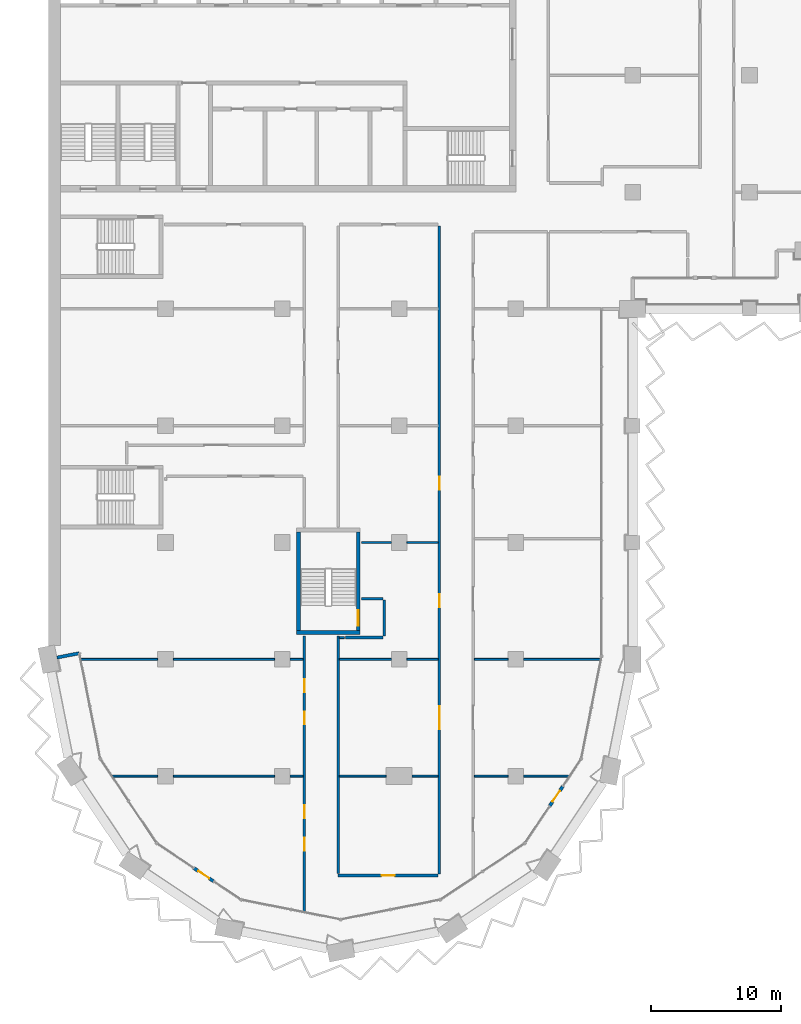
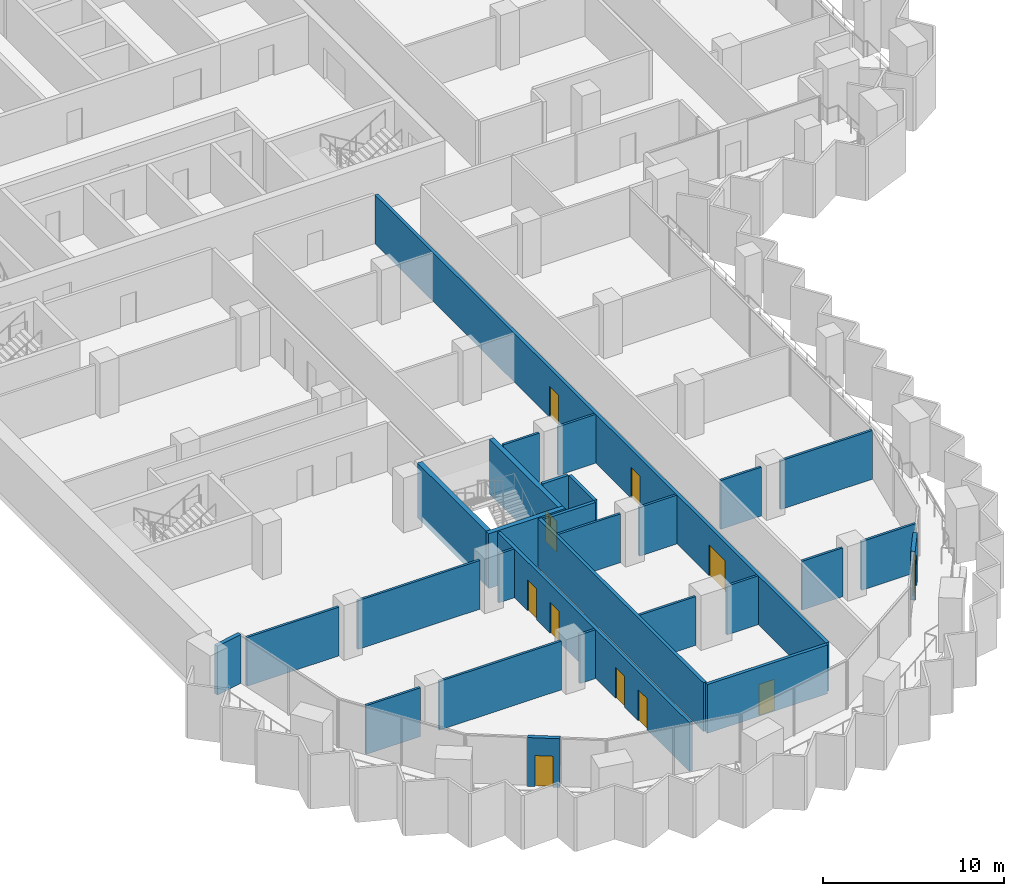
# One storey, part 9 of 23: 30 walls, 11 doors, 11 openings.
"""IFC4 building model written with IfcOpenShell, lengths in metres."""

from ifc_helpers import new_model, si_unit, direction, frame, frame_2d, origin, place, context, subcontext, project, spatial, rectangle, extrude, material, layer, layer_set, type_object, element, fill, save


model = new_model("IFC4")

# Units and contexts
model_context = context("Model", 3, precision=1e-05, world=origin(), true_north=direction((0.0, 1.0)))
body_context = subcontext(model_context, "Body", "Model", "MODEL_VIEW")
ifc_project = project(units=[si_unit("LENGTHUNIT", "METRE"), si_unit("AREAUNIT", "SQUARE_METRE"), si_unit("VOLUMEUNIT", "CUBIC_METRE"), si_unit("PLANEANGLEUNIT", "RADIAN"), si_unit("MASSUNIT", "GRAM", prefix="KILO")], contexts=[model_context])

# Site, building, storey
site_placement = place(None, origin())
site = spatial("IfcSite", under=ifc_project, at=site_placement, CompositionType="ELEMENT")
building_placement = place(site_placement, origin())
building = spatial("IfcBuilding", under=site, at=building_placement, Name="Hunhe Ridgeline Campus", CompositionType="ELEMENT")
storey_placement = place(building_placement, frame((0.0, 0.0, 144.89990234375)))
storey = spatial("IfcBuildingStorey", under=building, at=storey_placement, Name="L36", CompositionType="ELEMENT", Elevation=144.89990234375)

# Wall
ifc_material_1 = material(Name="Concrete C30", Category="concrete")
ifc_layer_1 = layer(ifc_material_1, 0.25)
ifc_layer_set_1 = layer_set([ifc_layer_1], Name="Corner return wall 250 Concrete C30")
wall_type_1 = type_object("IfcWallType", Name="Corner return wall 250 Concrete C30", PredefinedType="SOLIDWALL", material=ifc_layer_set_1)
wall_1_placement = place(storey_placement, frame((0.637451171875, 27.127685546875, 0.0), z_axis=(0.0, 0.0, 1.0), x_axis=(0.980842591884, 0.194801976239, 0.0)))
element("IfcWall", 1, at=wall_1_placement, inside=storey, type_object=wall_type_1, Name="Corner return wall 1", PredefinedType="SOLIDWALL", context=body_context, shape_type="SweptSolid", body=[
    extrude(rectangle(XDim=1.750732421875, YDim=0.25, at=frame_2d((0.87548828125, 0.0))), origin(), (0.0, 0.0, 1.0), 3.300048828125),
])

# Wall, opening, door
ifc_material_2 = material(Name="Gypsum board partition")
ifc_layer_2 = layer(ifc_material_2, 0.199951171875)
ifc_layer_set_2 = layer_set([ifc_layer_2], Name="Corridor partition 200 gypsum board on steel studs")
wall_type_2 = type_object("IfcWallType", Name="Corridor partition 200 gypsum board on steel studs", PredefinedType="PARTITIONING", material=ifc_layer_set_2)
wall_2_placement = place(storey_placement, frame((22.300048828125, 10.339111328125, 0.0), z_axis=(0.0, 0.0, 1.0), x_axis=(1.0, 0.0, 0.0)))
wall_2 = element("IfcWall", 2, at=wall_2_placement, inside=storey, type_object=wall_type_2, Name="F-L36-wall-001", PredefinedType="PARTITIONING", context=body_context, shape_type="SweptSolid", body=[
    extrude(rectangle(XDim=7.699951171875, YDim=0.199951171875, at=frame_2d((3.85009765625, 0.0))), origin(), (0.0, 0.0, 1.0), 3.300048828125),
])
opening_1_placement = place(wall_2_placement, frame((3.35009765625, 0.0, 0.0)))
opening_1 = element("IfcOpeningElement", 3, at=opening_1_placement, cuts=wall_2, Name="Opening RD1-001", PredefinedType="OPENING", context=body_context, shape_type="SweptSolid", body=[
    extrude(rectangle(XDim=1.0, YDim=2.10009765625, at=frame_2d((0.5, 1.050048828125))), frame((0.0, 0.10009765625, 0.0), z_axis=(0.0, -1.0, 0.0), x_axis=(1.0, 0.0, 0.0)), (0.0, 0.0, 1.0), 0.199951171875),
])
ifc_material_3 = material(Name="Timber door leaf", Category="wood")
door_type_1 = type_object("IfcDoorType", Name="Single fire door 1000x2100 timber FD60", OperationType="NOTDEFINED", PredefinedType="DOOR", material=ifc_material_3)
door_1_placement = place(opening_1_placement, origin())
door_1 = element("IfcDoor", 4, at=door_1_placement, inside=storey, type_object=door_type_1, Name="F-L36-door-001", OperationType="SINGLE_SWING_LEFT", OverallHeight=2.10009765625, OverallWidth=1.0, PredefinedType="DOOR", context=body_context, shape_type="SweptSolid", body=[
    extrude(rectangle(XDim=1.0, YDim=2.10009765625, at=frame_2d((0.5, 1.050048828125))), frame((0.0, 0.02490234375, 0.0), z_axis=(0.0, -1.0, 0.0), x_axis=(1.0, 0.0, 0.0)), (0.0, 0.0, 1.0), 0.050048828125),
])
fill(opening_1, door_1)

# Walls
wall_3_placement = place(storey_placement, frame((25.75, 28.675048828125, 0.0), z_axis=(0.0, 0.0, 1.0), x_axis=(-1.0, 0.0, 0.0)))
element("IfcWall", 5, at=wall_3_placement, inside=storey, type_object=wall_type_2, Name="F-L36-wall-016", PredefinedType="PARTITIONING", context=body_context, shape_type="SweptSolid", body=[
    extrude(rectangle(XDim=2.89990234375, YDim=0.199951171875, at=frame_2d((1.449951171875, 0.0))), origin(), (0.0, 0.0, 1.0), 3.300048828125),
])
wall_4_placement = place(storey_placement, frame((24.10400390625, 31.675048828125, 0.0), z_axis=(0.0, 0.0, 1.0), x_axis=(1.0, 0.0, 0.0)))
element("IfcWall", 6, at=wall_4_placement, inside=storey, type_object=wall_type_2, Name="F-L36-wall-018", PredefinedType="PARTITIONING", context=body_context, shape_type="SweptSolid", body=[
    extrude(rectangle(XDim=1.64599609375, YDim=0.199951171875, at=frame_2d((0.822998046875, 0.0))), origin(), (0.0, 0.0, 1.0), 3.300048828125),
])

# Wall, openings, doors
wall_5_placement = place(storey_placement, frame((19.699951171875, 7.56005859375, 0.0), z_axis=(0.0, 0.0, 1.0), x_axis=(0.0, 1.0, 0.0)))
wall_5 = element("IfcWall", 7, at=wall_5_placement, inside=storey, type_object=wall_type_2, Name="F-L36-wall-061", PredefinedType="PARTITIONING", context=body_context, shape_type="SweptSolid", body=[
    extrude(rectangle(XDim=21.23583984375, YDim=0.199951171875, at=frame_2d((10.617919921875, 0.0))), origin(), (0.0, 0.0, 1.0), 3.300048828125),
])
opening_2_placement = place(wall_5_placement, frame((4.6826171875, 0.0, 0.0)))
opening_2 = element("IfcOpeningElement", 8, at=opening_2_placement, cuts=wall_5, Name="Opening RD1-002", PredefinedType="OPENING", context=body_context, shape_type="SweptSolid", body=[
    extrude(rectangle(XDim=1.0, YDim=2.10009765625, at=frame_2d((0.5, 1.050048828125))), frame((0.0, 0.10009765625, 0.0), z_axis=(0.0, -1.0, 0.0), x_axis=(1.0, 0.0, 0.0)), (0.0, 0.0, 1.0), 0.199951171875),
])
opening_3_placement = place(wall_5_placement, frame((7.1826171875, 0.0, 0.0)))
opening_3 = element("IfcOpeningElement", 9, at=opening_3_placement, cuts=wall_5, Name="Opening RD1-004", PredefinedType="OPENING", context=body_context, shape_type="SweptSolid", body=[
    extrude(rectangle(XDim=1.0, YDim=2.10009765625, at=frame_2d((0.5, 1.050048828125))), frame((0.0, 0.10009765625, 0.0), z_axis=(0.0, -1.0, 0.0), x_axis=(1.0, 0.0, 0.0)), (0.0, 0.0, 1.0), 0.199951171875),
])
opening_4_placement = place(wall_5_placement, frame((14.415771484375, 0.0, 0.0)))
opening_4 = element("IfcOpeningElement", 10, at=opening_4_placement, cuts=wall_5, Name="Opening RD1-005", PredefinedType="OPENING", context=body_context, shape_type="SweptSolid", body=[
    extrude(rectangle(XDim=1.0, YDim=2.10009765625, at=frame_2d((0.5, 1.050048828125))), frame((0.0, 0.10009765625, 0.0), z_axis=(0.0, -1.0, 0.0), x_axis=(1.0, 0.0, 0.0)), (0.0, 0.0, 1.0), 0.199951171875),
])
opening_5_placement = place(wall_5_placement, frame((16.915771484375, 0.0, 0.0)))
opening_5 = element("IfcOpeningElement", 11, at=opening_5_placement, cuts=wall_5, Name="Opening RD1-008", PredefinedType="OPENING", context=body_context, shape_type="SweptSolid", body=[
    extrude(rectangle(XDim=1.0, YDim=2.10009765625, at=frame_2d((0.5, 1.050048828125))), frame((0.0, 0.10009765625, 0.0), z_axis=(0.0, -1.0, 0.0), x_axis=(1.0, 0.0, 0.0)), (0.0, 0.0, 1.0), 0.199951171875),
])
door_2_placement = place(opening_2_placement, frame((1.0, 0.0, 0.0), z_axis=(0.0, 0.0, 1.0), x_axis=(-1.0, 0.0, 0.0)))
door_2 = element("IfcDoor", 12, at=door_2_placement, inside=storey, type_object=door_type_1, Name="F-L36-door-002", OperationType="SINGLE_SWING_RIGHT", OverallHeight=2.10009765625, OverallWidth=1.0, PredefinedType="DOOR", context=body_context, shape_type="SweptSolid", body=[
    extrude(rectangle(XDim=1.0, YDim=2.10009765625, at=frame_2d((0.5, 1.050048828125))), frame((0.0, 0.02490234375, 0.0), z_axis=(0.0, -1.0, 0.0), x_axis=(1.0, 0.0, 0.0)), (0.0, 0.0, 1.0), 0.050048828125),
])
fill(opening_2, door_2)
door_3_placement = place(opening_3_placement, frame((1.0, 0.0, 0.0), z_axis=(0.0, 0.0, 1.0), x_axis=(-1.0, 0.0, 0.0)))
door_3 = element("IfcDoor", 13, at=door_3_placement, inside=storey, type_object=door_type_1, Name="F-L36-door-004", OperationType="SINGLE_SWING_LEFT", OverallHeight=2.10009765625, OverallWidth=1.0, PredefinedType="DOOR", context=body_context, shape_type="SweptSolid", body=[
    extrude(rectangle(XDim=1.0, YDim=2.10009765625, at=frame_2d((0.5, 1.050048828125))), frame((0.0, 0.02490234375, 0.0), z_axis=(0.0, -1.0, 0.0), x_axis=(1.0, 0.0, 0.0)), (0.0, 0.0, 1.0), 0.050048828125),
])
fill(opening_3, door_3)
door_4_placement = place(opening_4_placement, frame((1.0, 0.0, 0.0), z_axis=(0.0, 0.0, 1.0), x_axis=(-1.0, 0.0, 0.0)))
door_4 = element("IfcDoor", 14, at=door_4_placement, inside=storey, type_object=door_type_1, Name="F-L36-door-005", OperationType="SINGLE_SWING_LEFT", OverallHeight=2.10009765625, OverallWidth=1.0, PredefinedType="DOOR", context=body_context, shape_type="SweptSolid", body=[
    extrude(rectangle(XDim=1.0, YDim=2.10009765625, at=frame_2d((0.5, 1.050048828125))), frame((0.0, 0.02490234375, 0.0), z_axis=(0.0, -1.0, 0.0), x_axis=(1.0, 0.0, 0.0)), (0.0, 0.0, 1.0), 0.050048828125),
])
fill(opening_4, door_4)
door_5_placement = place(opening_5_placement, frame((1.0, 0.0, 0.0), z_axis=(0.0, 0.0, 1.0), x_axis=(-1.0, 0.0, 0.0)))
door_5 = element("IfcDoor", 15, at=door_5_placement, inside=storey, type_object=door_type_1, Name="F-L36-door-008", OperationType="SINGLE_SWING_LEFT", OverallHeight=2.10009765625, OverallWidth=1.0, PredefinedType="DOOR", context=body_context, shape_type="SweptSolid", body=[
    extrude(rectangle(XDim=1.0, YDim=2.10009765625, at=frame_2d((0.5, 1.050048828125))), frame((0.0, 0.02490234375, 0.0), z_axis=(0.0, -1.0, 0.0), x_axis=(1.0, 0.0, 0.0)), (0.0, 0.0, 1.0), 0.050048828125),
])
fill(opening_5, door_5)

# Walls
wall_6_placement = place(storey_placement, frame((22.300048828125, 28.7958984375, 0.0), z_axis=(0.0, 0.0, 1.0), x_axis=(0.0, -1.0, 0.0)))
element("IfcWall", 16, at=wall_6_placement, inside=storey, type_object=wall_type_2, Name="F-L36-wall-064", PredefinedType="PARTITIONING", context=body_context, shape_type="SweptSolid", body=[
    extrude(rectangle(XDim=18.292236328125, YDim=0.199951171875, at=frame_2d((9.14599609375, 0.0))), origin(), (0.0, 0.0, 1.0), 3.300048828125),
])
wall_7_placement = place(storey_placement, frame((25.85009765625, 31.574951171875, 0.0), z_axis=(0.0, 0.0, 1.0), x_axis=(0.0, -1.0, 0.0)))
element("IfcWall", 17, at=wall_7_placement, inside=storey, type_object=wall_type_2, Name="F-L36-wall-066", PredefinedType="PARTITIONING", context=body_context, shape_type="SweptSolid", body=[
    extrude(rectangle(XDim=2.800048828125, YDim=0.199951171875, at=frame_2d((1.39990234375, 0.0))), origin(), (0.0, 0.0, 1.0), 3.300048828125),
])

# Wall, openings, doors
wall_8_placement = place(storey_placement, frame((30.10009765625, 10.43896484375, 0.0), z_axis=(0.0, 0.0, 1.0), x_axis=(0.0, 1.0, 0.0)))
wall_8 = element("IfcWall", 18, at=wall_8_placement, inside=storey, type_object=wall_type_2, Name="F-L36-wall-067", PredefinedType="PARTITIONING", context=body_context, shape_type="SweptSolid", body=[
    extrude(rectangle(XDim=49.9609375, YDim=0.199951171875, at=frame_2d((24.98046875, 0.0))), origin(), (0.0, 0.0, 1.0), 3.300048828125),
])
opening_6_placement = place(wall_8_placement, frame((11.15087890625, 0.0, 0.0)))
opening_6 = element("IfcOpeningElement", 19, at=opening_6_placement, cuts=wall_8, Name="Opening RD2-006", PredefinedType="OPENING", context=body_context, shape_type="SweptSolid", body=[
    extrude(rectangle(XDim=1.800048828125, YDim=2.10009765625, at=frame_2d((0.89990234375, 1.050048828125))), frame((0.0, 0.10009765625, 0.0), z_axis=(0.0, -1.0, 0.0), x_axis=(1.0, 0.0, 0.0)), (0.0, 0.0, 1.0), 0.199951171875),
])
opening_7_placement = place(wall_8_placement, frame((20.589111328125, 0.0, 0.0)))
opening_7 = element("IfcOpeningElement", 20, at=opening_7_placement, cuts=wall_8, Name="Opening RD1-009", PredefinedType="OPENING", context=body_context, shape_type="SweptSolid", body=[
    extrude(rectangle(XDim=1.0, YDim=2.10009765625, at=frame_2d((0.5, 1.050048828125))), frame((0.0, 0.10009765625, 0.0), z_axis=(0.0, -1.0, 0.0), x_axis=(1.0, 0.0, 0.0)), (0.0, 0.0, 1.0), 0.199951171875),
])
opening_8_placement = place(wall_8_placement, frame((29.627197265625, 0.0, 0.0)))
opening_8 = element("IfcOpeningElement", 21, at=opening_8_placement, cuts=wall_8, Name="Opening RD1-011", PredefinedType="OPENING", context=body_context, shape_type="SweptSolid", body=[
    extrude(rectangle(XDim=1.0, YDim=2.10009765625, at=frame_2d((0.5, 1.050048828125))), frame((0.0, 0.10009765625, 0.0), z_axis=(0.0, -1.0, 0.0), x_axis=(1.0, 0.0, 0.0)), (0.0, 0.0, 1.0), 0.199951171875),
])
door_type_2 = type_object("IfcDoorType", Name="Double fire door 1800x2100 timber FD60", OperationType="DOUBLE_DOOR_SINGLE_SWING", PredefinedType="DOOR", material=ifc_material_3)
door_6_placement = place(opening_6_placement, origin())
door_6 = element("IfcDoor", 22, at=door_6_placement, inside=storey, type_object=door_type_2, Name="F-L36-door-006", OperationType="DOUBLE_DOOR_SINGLE_SWING", OverallHeight=2.10009765625, OverallWidth=1.800048828125, PredefinedType="DOOR", context=body_context, shape_type="SweptSolid", body=[
    extrude(rectangle(XDim=1.800048828125, YDim=2.10009765625, at=frame_2d((0.89990234375, 1.050048828125))), frame((0.0, 0.02490234375, 0.0), z_axis=(0.0, -1.0, 0.0), x_axis=(1.0, 0.0, 0.0)), (0.0, 0.0, 1.0), 0.050048828125),
])
fill(opening_6, door_6)
door_7_placement = place(opening_7_placement, origin())
door_7 = element("IfcDoor", 23, at=door_7_placement, inside=storey, type_object=door_type_1, Name="F-L36-door-009", OperationType="SINGLE_SWING_RIGHT", OverallHeight=2.10009765625, OverallWidth=1.0, PredefinedType="DOOR", context=body_context, shape_type="SweptSolid", body=[
    extrude(rectangle(XDim=1.0, YDim=2.10009765625, at=frame_2d((0.5, 1.050048828125))), frame((0.0, 0.02490234375, 0.0), z_axis=(0.0, -1.0, 0.0), x_axis=(1.0, 0.0, 0.0)), (0.0, 0.0, 1.0), 0.050048828125),
])
fill(opening_7, door_7)
door_8_placement = place(opening_8_placement, origin())
door_8 = element("IfcDoor", 24, at=door_8_placement, inside=storey, type_object=door_type_1, Name="F-L36-door-011", OperationType="SINGLE_SWING_RIGHT", OverallHeight=2.10009765625, OverallWidth=1.0, PredefinedType="DOOR", context=body_context, shape_type="SweptSolid", body=[
    extrude(rectangle(XDim=1.0, YDim=2.10009765625, at=frame_2d((0.5, 1.050048828125))), frame((0.0, 0.02490234375, 0.0), z_axis=(0.0, -1.0, 0.0), x_axis=(1.0, 0.0, 0.0)), (0.0, 0.0, 1.0), 0.050048828125),
])
fill(opening_8, door_8)

# Wall, opening, door
ifc_layer_3 = layer(ifc_material_1, 0.25)
ifc_layer_set_3 = layer_set([ifc_layer_3], Name="Loggia door pier wall 250 Concrete C30")
wall_type_3 = type_object("IfcWallType", Name="Loggia door pier wall 250 Concrete C30", PredefinedType="SOLIDWALL", material=ifc_layer_set_3)
wall_9_placement = place(storey_placement, frame((11.19970703125, 10.897705078125, 0.0), z_axis=(0.0, 0.0, 1.0), x_axis=(0.83146554274, -0.555576323502, 0.0)))
wall_9 = element("IfcWall", 25, at=wall_9_placement, inside=storey, type_object=wall_type_3, Name="Loggia door pier 1", PredefinedType="SOLIDWALL", context=body_context, shape_type="SweptSolid", body=[
    extrude(rectangle(XDim=1.800048828125, YDim=0.25, at=frame_2d((0.89990234375, 0.0))), origin(), (0.0, 0.0, 1.0), 3.300048828125),
])
opening_9_placement = place(wall_9_placement, frame((0.39990234375, 0.0, 0.0)))
opening_9 = element("IfcOpeningElement", 26, at=opening_9_placement, cuts=wall_9, Name="Opening BD302", PredefinedType="OPENING", context=body_context, shape_type="SweptSolid", body=[
    extrude(rectangle(XDim=1.0, YDim=2.10009765625, at=frame_2d((0.5, 1.050048828125))), frame((0.0, 0.125, 0.0), z_axis=(0.0, -1.0, 0.0), x_axis=(1.0, 0.0, 0.0)), (0.0, 0.0, 1.0), 0.25),
])
ifc_material_4 = material(Name="Aluminium 6063", Category="aluminium")
door_type_3 = type_object("IfcDoorType", Name="Loggia glazed door 1000x2100", OperationType="NOTDEFINED", PredefinedType="DOOR", material=ifc_material_4)
door_9_placement = place(opening_9_placement, frame((1.0, 0.0, 0.0), z_axis=(0.0, 0.0, 1.0), x_axis=(-1.0, 0.0, 0.0)))
door_9 = element("IfcDoor", 27, at=door_9_placement, inside=storey, type_object=door_type_3, Name="Loggia door BD302", OperationType="SINGLE_SWING_LEFT", OverallHeight=2.10009765625, OverallWidth=1.0, PredefinedType="DOOR", context=body_context, shape_type="SweptSolid", body=[
    extrude(rectangle(XDim=1.0, YDim=2.10009765625, at=frame_2d((0.5, 1.050048828125))), frame((0.0, 0.02490234375, 0.0), z_axis=(0.0, -1.0, 0.0), x_axis=(1.0, 0.0, 0.0)), (0.0, 0.0, 1.0), 0.050048828125),
])
fill(opening_9, door_9)

wall_10_placement = place(storey_placement, frame((38.602294921875, 15.69970703125, 0.0), z_axis=(0.0, 0.0, 1.0), x_axis=(0.555576323502, 0.83146554274, 0.0)))
wall_10 = element("IfcWall", 28, at=wall_10_placement, inside=storey, type_object=wall_type_3, Name="Loggia door pier 2", PredefinedType="SOLIDWALL", context=body_context, shape_type="SweptSolid", body=[
    extrude(rectangle(XDim=1.800048828125, YDim=0.25, at=frame_2d((0.89990234375, 0.0))), origin(), (0.0, 0.0, 1.0), 3.300048828125),
])
opening_10_placement = place(wall_10_placement, frame((0.39990234375, 0.0, 0.0)))
opening_10 = element("IfcOpeningElement", 29, at=opening_10_placement, cuts=wall_10, Name="Opening BD304", PredefinedType="OPENING", context=body_context, shape_type="SweptSolid", body=[
    extrude(rectangle(XDim=1.0, YDim=2.10009765625, at=frame_2d((0.5, 1.050048828125))), frame((0.0, 0.125, 0.0), z_axis=(0.0, -1.0, 0.0), x_axis=(1.0, 0.0, 0.0)), (0.0, 0.0, 1.0), 0.25),
])
door_10_placement = place(opening_10_placement, frame((1.0, 0.0, 0.0), z_axis=(0.0, 0.0, 1.0), x_axis=(-1.0, 0.0, 0.0)))
door_10 = element("IfcDoor", 30, at=door_10_placement, inside=storey, type_object=door_type_3, Name="Loggia door BD304", OperationType="SINGLE_SWING_LEFT", OverallHeight=2.10009765625, OverallWidth=1.0, PredefinedType="DOOR", context=body_context, shape_type="SweptSolid", body=[
    extrude(rectangle(XDim=1.0, YDim=2.10009765625, at=frame_2d((0.5, 1.050048828125))), frame((0.0, 0.02490234375, 0.0), z_axis=(0.0, -1.0, 0.0), x_axis=(1.0, 0.0, 0.0)), (0.0, 0.0, 1.0), 0.050048828125),
])
fill(opening_10, door_10)

# Walls
ifc_layer_4 = layer(ifc_material_2, 0.14990234375)
ifc_layer_set_4 = layer_set([ifc_layer_4], Name="Room partition 150 gypsum board on steel studs")
wall_type_4 = type_object("IfcWallType", Name="Room partition 150 gypsum board on steel studs", PredefinedType="PARTITIONING", material=ifc_layer_set_4)
wall_11_placement = place(storey_placement, frame((4.925537109375, 18.0, 0.0), z_axis=(0.0, 0.0, 1.0), x_axis=(1.0, 0.0, 0.0)))
element("IfcWall", 31, at=wall_11_placement, inside=storey, type_object=wall_type_4, Name="F-L36-wall-002", PredefinedType="PARTITIONING", context=body_context, shape_type="SweptSolid", body=[
    extrude(rectangle(XDim=3.474365234375, YDim=0.14990234375, at=frame_2d((1.7373046875, 0.0))), origin(), (0.0, 0.0, 1.0), 3.300048828125),
])
wall_12_placement = place(storey_placement, frame((9.60009765625, 18.0, 0.0), z_axis=(0.0, 0.0, 1.0), x_axis=(1.0, 0.0, 0.0)))
element("IfcWall", 32, at=wall_12_placement, inside=storey, type_object=wall_type_4, Name="F-L36-wall-003", PredefinedType="PARTITIONING", context=body_context, shape_type="SweptSolid", body=[
    extrude(rectangle(XDim=7.7998046875, YDim=0.14990234375, at=frame_2d((3.89990234375, 0.0))), origin(), (0.0, 0.0, 1.0), 3.300048828125),
])
wall_13_placement = place(storey_placement, frame((18.60009765625, 18.0, 0.0), z_axis=(0.0, 0.0, 1.0), x_axis=(1.0, 0.0, 0.0)))
element("IfcWall", 33, at=wall_13_placement, inside=storey, type_object=wall_type_4, Name="F-L36-wall-004", PredefinedType="PARTITIONING", context=body_context, shape_type="SweptSolid", body=[
    extrude(rectangle(XDim=1.0, YDim=0.14990234375, at=frame_2d((0.5, 0.0))), origin(), (0.0, 0.0, 1.0), 3.300048828125),
])
wall_14_placement = place(storey_placement, frame((22.39990234375, 18.0, 0.0), z_axis=(0.0, 0.0, 1.0), x_axis=(1.0, 0.0, 0.0)))
element("IfcWall", 34, at=wall_14_placement, inside=storey, type_object=wall_type_4, Name="F-L36-wall-005", PredefinedType="PARTITIONING", context=body_context, shape_type="SweptSolid", body=[
    extrude(rectangle(XDim=3.60009765625, YDim=0.14990234375, at=frame_2d((1.800048828125, 0.0))), origin(), (0.0, 0.0, 1.0), 3.300048828125),
])
wall_15_placement = place(storey_placement, frame((28.0, 18.0, 0.0), z_axis=(0.0, 0.0, 1.0), x_axis=(1.0, 0.0, 0.0)))
element("IfcWall", 35, at=wall_15_placement, inside=storey, type_object=wall_type_4, Name="F-L36-wall-006", PredefinedType="PARTITIONING", context=body_context, shape_type="SweptSolid", body=[
    extrude(rectangle(XDim=2.0, YDim=0.14990234375, at=frame_2d((1.0, 0.0))), origin(), (0.0, 0.0, 1.0), 3.300048828125),
])
wall_16_placement = place(storey_placement, frame((32.800048828125, 18.0, 0.0), z_axis=(0.0, 0.0, 1.0), x_axis=(1.0, 0.0, 0.0)))
element("IfcWall", 36, at=wall_16_placement, inside=storey, type_object=wall_type_4, Name="F-L36-wall-007", PredefinedType="PARTITIONING", context=body_context, shape_type="SweptSolid", body=[
    extrude(rectangle(XDim=2.599853515625, YDim=0.14990234375, at=frame_2d((1.2998046875, 0.0))), origin(), (0.0, 0.0, 1.0), 3.300048828125),
])
wall_17_placement = place(storey_placement, frame((36.60009765625, 18.0, 0.0), z_axis=(0.0, 0.0, 1.0), x_axis=(1.0, 0.0, 0.0)))
element("IfcWall", 37, at=wall_17_placement, inside=storey, type_object=wall_type_4, Name="F-L36-wall-008", PredefinedType="PARTITIONING", context=body_context, shape_type="SweptSolid", body=[
    extrude(rectangle(XDim=3.474365234375, YDim=0.14990234375, at=frame_2d((1.7373046875, 0.0))), origin(), (0.0, 0.0, 1.0), 3.300048828125),
])
wall_18_placement = place(storey_placement, frame((2.503173828125, 27.0, 0.0), z_axis=(0.0, 0.0, 1.0), x_axis=(1.0, 0.0, 0.0)))
element("IfcWall", 38, at=wall_18_placement, inside=storey, type_object=wall_type_4, Name="F-L36-wall-009", PredefinedType="PARTITIONING", context=body_context, shape_type="SweptSolid", body=[
    extrude(rectangle(XDim=5.896728515625, YDim=0.14990234375, at=frame_2d((2.9482421875, 0.0))), origin(), (0.0, 0.0, 1.0), 3.300048828125),
])
wall_19_placement = place(storey_placement, frame((9.60009765625, 27.0, 0.0), z_axis=(0.0, 0.0, 1.0), x_axis=(1.0, 0.0, 0.0)))
element("IfcWall", 39, at=wall_19_placement, inside=storey, type_object=wall_type_4, Name="F-L36-wall-010", PredefinedType="PARTITIONING", context=body_context, shape_type="SweptSolid", body=[
    extrude(rectangle(XDim=7.7998046875, YDim=0.14990234375, at=frame_2d((3.89990234375, 0.0))), origin(), (0.0, 0.0, 1.0), 3.300048828125),
])
wall_20_placement = place(storey_placement, frame((18.60009765625, 27.0, 0.0), z_axis=(0.0, 0.0, 1.0), x_axis=(1.0, 0.0, 0.0)))
element("IfcWall", 40, at=wall_20_placement, inside=storey, type_object=wall_type_4, Name="F-L36-wall-011", PredefinedType="PARTITIONING", context=body_context, shape_type="SweptSolid", body=[
    extrude(rectangle(XDim=1.0, YDim=0.14990234375, at=frame_2d((0.5, 0.0))), origin(), (0.0, 0.0, 1.0), 3.300048828125),
])
wall_21_placement = place(storey_placement, frame((22.39990234375, 27.0, 0.0), z_axis=(0.0, 0.0, 1.0), x_axis=(1.0, 0.0, 0.0)))
element("IfcWall", 41, at=wall_21_placement, inside=storey, type_object=wall_type_4, Name="F-L36-wall-012", PredefinedType="PARTITIONING", context=body_context, shape_type="SweptSolid", body=[
    extrude(rectangle(XDim=4.0, YDim=0.14990234375, at=frame_2d((2.0, 0.0))), origin(), (0.0, 0.0, 1.0), 3.300048828125),
])
wall_22_placement = place(storey_placement, frame((27.60009765625, 27.0, 0.0), z_axis=(0.0, 0.0, 1.0), x_axis=(1.0, 0.0, 0.0)))
element("IfcWall", 42, at=wall_22_placement, inside=storey, type_object=wall_type_4, Name="F-L36-wall-013", PredefinedType="PARTITIONING", context=body_context, shape_type="SweptSolid", body=[
    extrude(rectangle(XDim=2.39990234375, YDim=0.14990234375, at=frame_2d((1.199951171875, 0.0))), origin(), (0.0, 0.0, 1.0), 3.300048828125),
])
wall_23_placement = place(storey_placement, frame((32.800048828125, 27.0, 0.0), z_axis=(0.0, 0.0, 1.0), x_axis=(1.0, 0.0, 0.0)))
element("IfcWall", 43, at=wall_23_placement, inside=storey, type_object=wall_type_4, Name="F-L36-wall-014", PredefinedType="PARTITIONING", context=body_context, shape_type="SweptSolid", body=[
    extrude(rectangle(XDim=2.599853515625, YDim=0.14990234375, at=frame_2d((1.2998046875, 0.0))), origin(), (0.0, 0.0, 1.0), 3.300048828125),
])
wall_24_placement = place(storey_placement, frame((36.60009765625, 27.0, 0.0), z_axis=(0.0, 0.0, 1.0), x_axis=(1.0, 0.0, 0.0)))
element("IfcWall", 44, at=wall_24_placement, inside=storey, type_object=wall_type_4, Name="F-L36-wall-015", PredefinedType="PARTITIONING", context=body_context, shape_type="SweptSolid", body=[
    extrude(rectangle(XDim=5.896728515625, YDim=0.14990234375, at=frame_2d((2.9482421875, 0.0))), origin(), (0.0, 0.0, 1.0), 3.300048828125),
])
wall_25_placement = place(storey_placement, frame((22.39990234375, 28.675048828125, 0.0), z_axis=(0.0, 0.0, 1.0), x_axis=(1.0, 0.0, 0.0)))
element("IfcWall", 45, at=wall_25_placement, inside=storey, type_object=wall_type_4, Name="F-L36-wall-017", PredefinedType="PARTITIONING", context=body_context, shape_type="SweptSolid", body=[
    extrude(rectangle(XDim=0.379638671875, YDim=0.14990234375, at=frame_2d((0.18994140625, 0.0))), origin(), (0.0, 0.0, 1.0), 3.300048828125),
])
wall_26_placement = place(storey_placement, frame((24.10400390625, 36.0, 0.0), z_axis=(0.0, 0.0, 1.0), x_axis=(1.0, 0.0, 0.0)))
element("IfcWall", 46, at=wall_26_placement, inside=storey, type_object=wall_type_4, Name="F-L36-wall-019", PredefinedType="PARTITIONING", context=body_context, shape_type="SweptSolid", body=[
    extrude(rectangle(XDim=2.2958984375, YDim=0.14990234375, at=frame_2d((1.14794921875, 0.0))), origin(), (0.0, 0.0, 1.0), 3.300048828125),
])
wall_27_placement = place(storey_placement, frame((27.60009765625, 36.0, 0.0), z_axis=(0.0, 0.0, 1.0), x_axis=(1.0, 0.0, 0.0)))
element("IfcWall", 47, at=wall_27_placement, inside=storey, type_object=wall_type_4, Name="F-L36-wall-020", PredefinedType="PARTITIONING", context=body_context, shape_type="SweptSolid", body=[
    extrude(rectangle(XDim=2.39990234375, YDim=0.14990234375, at=frame_2d((1.199951171875, 0.0))), origin(), (0.0, 0.0, 1.0), 3.300048828125),
])
ifc_material_5 = material(Name="Concrete C70", Category="concrete")
ifc_layer_5 = layer(ifc_material_5, 0.300048828125)
ifc_layer_set_5 = layer_set([ifc_layer_5], Name="Stair wall 300 reinforced concrete C70")
wall_type_5 = type_object("IfcWallType", Name="Stair wall 300 reinforced concrete C70", PredefinedType="SOLIDWALL", material=ifc_layer_set_5)
wall_28_placement = place(storey_placement, frame((19.10009765625, 29.050048828125, -0.39990234375), z_axis=(0.0, 0.0, 1.0), x_axis=(1.0, 0.0, 0.0)))
element("IfcWall", 48, at=wall_28_placement, inside=storey, type_object=wall_type_5, Name="L36 core wall 1", PredefinedType="SOLIDWALL", context=body_context, shape_type="SweptSolid", body=[
    extrude(rectangle(XDim=4.89990234375, YDim=0.300048828125, at=frame_2d((2.449951171875, 0.0))), origin(), (0.0, 0.0, 1.0), 3.699951171875),
])
wall_29_placement = place(storey_placement, frame((19.25, 29.199951171875, -0.39990234375), z_axis=(0.0, 0.0, 1.0), x_axis=(0.0, 1.0, 0.0)))
element("IfcWall", 49, at=wall_29_placement, inside=storey, type_object=wall_type_5, Name="L36 core wall 46", PredefinedType="SOLIDWALL", context=body_context, shape_type="SweptSolid", body=[
    extrude(rectangle(XDim=7.60009765625, YDim=0.300048828125, at=frame_2d((3.800048828125, 0.0))), origin(), (0.0, 0.0, 1.0), 3.699951171875),
])

# Wall, opening, door
wall_30_placement = place(storey_placement, frame((23.85009765625, 29.199951171875, -0.39990234375), z_axis=(0.0, 0.0, 1.0), x_axis=(0.0, 1.0, 0.0)))
wall_30 = element("IfcWall", 50, at=wall_30_placement, inside=storey, type_object=wall_type_5, Name="L36 core wall 51", PredefinedType="SOLIDWALL", context=body_context, shape_type="SweptSolid", body=[
    extrude(rectangle(XDim=7.60009765625, YDim=0.300048828125, at=frame_2d((3.800048828125, 0.0))), origin(), (0.0, 0.0, 1.0), 3.699951171875),
])
opening_11_placement = place(wall_30_placement, frame((0.375, 0.0, 0.39990234375)))
opening_11 = element("IfcOpeningElement", 51, at=opening_11_placement, cuts=wall_30, Name="Opening CD23", PredefinedType="OPENING", context=body_context, shape_type="SweptSolid", body=[
    extrude(rectangle(XDim=1.199951171875, YDim=2.10009765625, at=frame_2d((0.60009765625, 1.050048828125))), frame((0.0, 0.14990234375, 0.0), z_axis=(0.0, -1.0, 0.0), x_axis=(1.0, 0.0, 0.0)), (0.0, 0.0, 1.0), 0.300048828125),
])
ifc_material_6 = material(Name="Hollow metal fire door leaf")
door_type_4 = type_object("IfcDoorType", Name="Stair door 1200x2100 FD60", OperationType="SINGLE_SWING_LEFT", PredefinedType="DOOR", material=ifc_material_6)
door_11_placement = place(opening_11_placement, frame((1.199951171875, 0.0, 0.0), z_axis=(0.0, 0.0, 1.0), x_axis=(-1.0, 0.0, 0.0)))
door_11 = element("IfcDoor", 52, at=door_11_placement, inside=storey, type_object=door_type_4, Name="L36 door W3", OperationType="SINGLE_SWING_RIGHT", OverallHeight=2.10009765625, OverallWidth=1.199951171875, PredefinedType="DOOR", context=body_context, shape_type="SweptSolid", body=[
    extrude(rectangle(XDim=1.199951171875, YDim=2.10009765625, at=frame_2d((0.60009765625, 1.050048828125))), frame((0.0, 0.02490234375, 0.0), z_axis=(0.0, -1.0, 0.0), x_axis=(1.0, 0.0, 0.0)), (0.0, 0.0, 1.0), 0.050048828125),
])
fill(opening_11, door_11)

save(model, "model.ifc")
